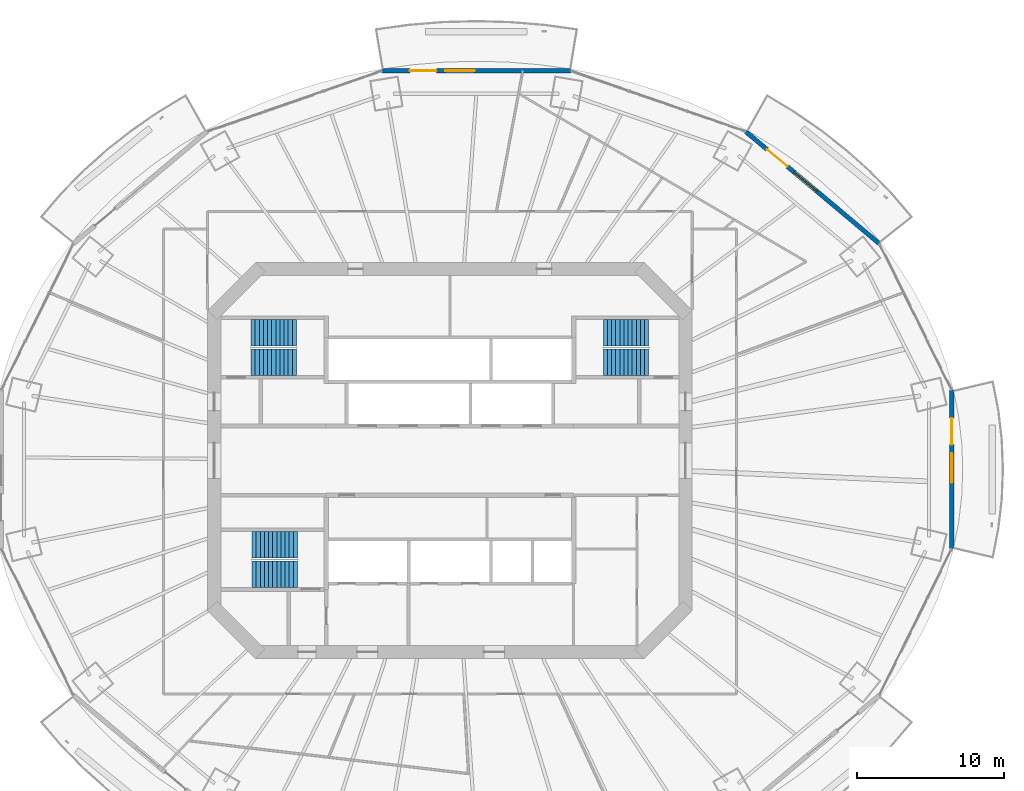
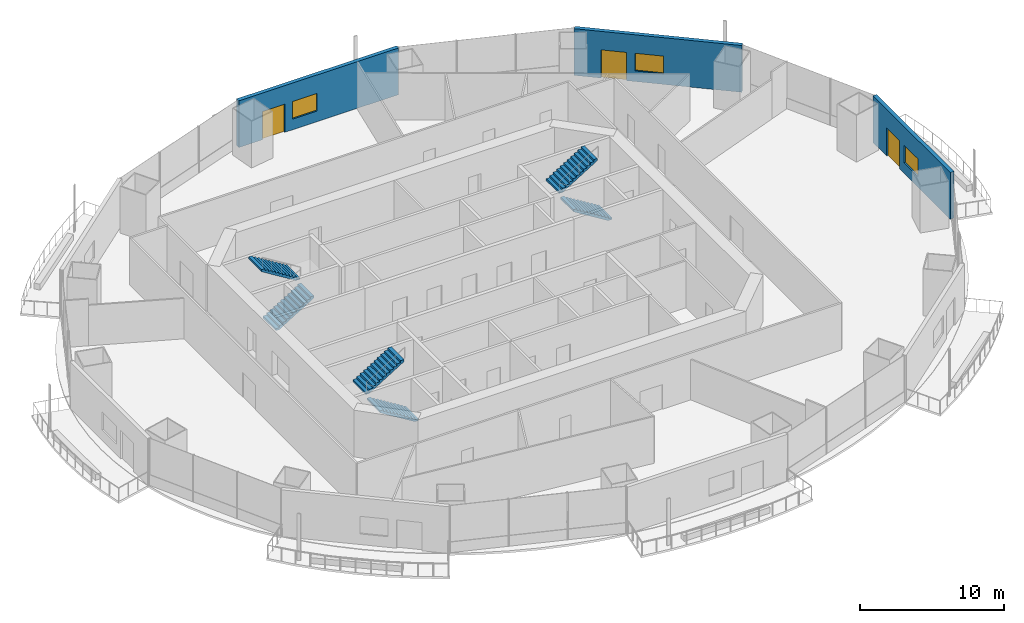
# One storey, part 15 of 21: 6 stair flights, 3 doors, 3 walls, 3 windows, 6 openings, 3 elements without a shape of their own.
"""IFC4 building model written with IfcOpenShell, lengths in metres."""

from ifc_helpers import new_model, si_unit, direction, frame, frame_2d, origin, place, context, subcontext, project, spatial, polyline, rectangle, outline, extrude, material, layer, layer_set, type_object, element, fill, aggregate, save


model = new_model("IFC4")

# Units and contexts
model_context = context("Model", 3, precision=1e-05, world=origin(), true_north=direction((0.0, 1.0)))
body_context = subcontext(model_context, "Body", "Model", "MODEL_VIEW")
ifc_project = project(units=[si_unit("LENGTHUNIT", "METRE"), si_unit("AREAUNIT", "SQUARE_METRE"), si_unit("VOLUMEUNIT", "CUBIC_METRE"), si_unit("PLANEANGLEUNIT", "RADIAN"), si_unit("MASSUNIT", "GRAM", prefix="KILO")], contexts=[model_context])

# Site, building, storey
site_placement = place(None, origin())
site = spatial("IfcSite", under=ifc_project, at=site_placement, CompositionType="ELEMENT")
building_placement = place(site_placement, origin())
building = spatial("IfcBuilding", under=site, at=building_placement, Name="Marenthal Gate Tower", CompositionType="ELEMENT")
storey_placement = place(building_placement, frame((0.0, 0.0, 161.050048828125)))
storey = spatial("IfcBuildingStorey", under=building, at=storey_placement, Name="L34", CompositionType="ELEMENT", Elevation=161.050048828125)

# Wall, openings, door, window
ifc_material_1 = material(Name="Terracotta cladding on insulated concrete-block backing", Category="masonry")
ifc_layer = layer(ifc_material_1, 0.300048828125)
ifc_layer_set = layer_set([ifc_layer], Name="Terracotta facade wall 300")
wall_type = type_object("IfcWallType", Name="Terracotta facade wall 300", PredefinedType="SOLIDWALL", material=ifc_layer_set)
wall_1_placement = place(storey_placement, frame((29.154541015625, 14.729248046875, 0.0), z_axis=(0.0, 0.0, 1.0), x_axis=(-0.766205617694, 0.642595480387, 0.0)))
wall_1 = element("IfcWall", 1, at=wall_1_placement, inside=storey, type_object=wall_type, Name="Terracotta facade wall L34 bay 2", PredefinedType="SOLIDWALL", context=body_context, shape_type="SweptSolid", body=[
    extrude(rectangle(XDim=11.8466796875, YDim=0.300048828125, at=frame_2d((5.92333984375, 0.0))), origin(), (0.0, 0.0, 1.0), 3.969970703125),
])
opening_1_placement = place(wall_1_placement, frame((8.146484375, 0.0, 0.0)))
opening_1 = element("IfcOpeningElement", 2, at=opening_1_placement, cuts=wall_1, Name="Opening BD-L34-02", PredefinedType="OPENING", context=body_context, shape_type="SweptSolid", body=[
    extrude(rectangle(XDim=1.800048828125, YDim=2.39990234375, at=frame_2d((0.89990234375, 1.199951171875))), frame((0.0, 0.16015625, 0.0), z_axis=(0.0, -1.0, 0.0), x_axis=(1.0, 0.0, 0.0)), (0.0, 0.0, 1.0), 0.320068359375),
])
opening_2_placement = place(wall_1_placement, frame((5.54638671875, 0.0, 0.89990234375)))
opening_2 = element("IfcOpeningElement", 3, at=opening_2_placement, cuts=wall_1, Name="Opening WN2-L34-02", PredefinedType="OPENING", context=body_context, shape_type="SweptSolid", body=[
    extrude(rectangle(XDim=2.0, YDim=1.5, at=frame_2d((1.0, 0.75))), frame((0.0, 0.16015625, 0.0), z_axis=(0.0, -1.0, 0.0), x_axis=(1.0, 0.0, 0.0)), (0.0, 0.0, 1.0), 0.320068359375),
])
ifc_material_2 = material(Name="Aluminium and glass", Category="aluminium")
door_type = type_object("IfcDoorType", Name="Balcony door 1800x2400", OperationType="DOUBLE_DOOR_SINGLE_SWING", PredefinedType="DOOR", material=ifc_material_2)
door_1_placement = place(opening_1_placement, origin())
door_1 = element("IfcDoor", 4, at=door_1_placement, inside=storey, type_object=door_type, Name="Balcony door L34 bay 2", OperationType="SINGLE_SWING_LEFT", OverallHeight=2.39990234375, OverallWidth=1.800048828125, PredefinedType="DOOR", context=body_context, shape_type="SweptSolid", body=[
    extrude(rectangle(XDim=1.800048828125, YDim=2.39990234375, at=frame_2d((0.89990234375, 1.199951171875))), frame((0.0, 0.02490234375, 0.0), z_axis=(0.0, -1.0, 0.0), x_axis=(1.0, 0.0, 0.0)), (0.0, 0.0, 1.0), 0.050048828125),
])
fill(opening_1, door_1)
ifc_material_3 = material(Name="Aluminium and glass", Category="aluminium")
window_type = type_object("IfcWindowType", Name="Window 2000x1500", PartitioningType="DOUBLE_PANEL_VERTICAL", PredefinedType="WINDOW", material=ifc_material_3)
window_1_placement = place(opening_2_placement, origin())
window_1 = element("IfcWindow", 5, at=window_1_placement, inside=storey, type_object=window_type, Name="Window L34 bay 2", OverallHeight=1.5, OverallWidth=2.0, PartitioningType="SINGLE_PANEL", PredefinedType="WINDOW", context=body_context, shape_type="SweptSolid", body=[
    extrude(rectangle(XDim=2.0, YDim=1.5, at=frame_2d((1.0, 0.75))), frame((0.0, 0.030029296875, 0.0), z_axis=(0.0, -1.0, 0.0), x_axis=(1.0, 0.0, 0.0)), (0.0, 0.0, 1.0), 0.06005859375),
])
fill(opening_2, window_1)

wall_2_placement = place(storey_placement, frame((8.21826171875, 26.4619140625, 0.0), z_axis=(0.0, 0.0, 1.0), x_axis=(-1.0, 0.0, 0.0)))
wall_2 = element("IfcWall", 6, at=wall_2_placement, inside=storey, type_object=wall_type, Name="Terracotta facade wall L34 bay 4", PredefinedType="SOLIDWALL", context=body_context, shape_type="SweptSolid", body=[
    extrude(rectangle(XDim=12.836669921875, YDim=0.300048828125, at=frame_2d((6.41845703125, 0.0))), origin(), (0.0, 0.0, 1.0), 3.969970703125),
])
opening_3_placement = place(wall_2_placement, frame((9.13671875, 0.0, 0.0)))
opening_3 = element("IfcOpeningElement", 7, at=opening_3_placement, cuts=wall_2, Name="Opening BD-L34-04", PredefinedType="OPENING", context=body_context, shape_type="SweptSolid", body=[
    extrude(rectangle(XDim=1.800048828125, YDim=2.39990234375, at=frame_2d((0.89990234375, 1.199951171875))), frame((0.0, 0.16015625, 0.0), z_axis=(0.0, -1.0, 0.0), x_axis=(1.0, 0.0, 0.0)), (0.0, 0.0, 1.0), 0.320068359375),
])
opening_4_placement = place(wall_2_placement, frame((6.53662109375, 0.0, 0.89990234375)))
opening_4 = element("IfcOpeningElement", 8, at=opening_4_placement, cuts=wall_2, Name="Opening WN2-L34-04", PredefinedType="OPENING", context=body_context, shape_type="SweptSolid", body=[
    extrude(rectangle(XDim=2.0, YDim=1.5, at=frame_2d((1.0, 0.75))), frame((0.0, 0.16015625, 0.0), z_axis=(0.0, -1.0, 0.0), x_axis=(1.0, 0.0, 0.0)), (0.0, 0.0, 1.0), 0.320068359375),
])
door_2_placement = place(opening_3_placement, origin())
door_2 = element("IfcDoor", 9, at=door_2_placement, inside=storey, type_object=door_type, Name="Balcony door L34 bay 4", OperationType="SINGLE_SWING_LEFT", OverallHeight=2.39990234375, OverallWidth=1.800048828125, PredefinedType="DOOR", context=body_context, shape_type="SweptSolid", body=[
    extrude(rectangle(XDim=1.800048828125, YDim=2.39990234375, at=frame_2d((0.89990234375, 1.199951171875))), frame((0.0, 0.02490234375, 0.0), z_axis=(0.0, -1.0, 0.0), x_axis=(1.0, 0.0, 0.0)), (0.0, 0.0, 1.0), 0.050048828125),
])
fill(opening_3, door_2)
window_2_placement = place(opening_4_placement, origin())
window_2 = element("IfcWindow", 10, at=window_2_placement, inside=storey, type_object=window_type, Name="Window L34 bay 4", OverallHeight=1.5, OverallWidth=2.0, PartitioningType="SINGLE_PANEL", PredefinedType="WINDOW", context=body_context, shape_type="SweptSolid", body=[
    extrude(rectangle(XDim=2.0, YDim=1.5, at=frame_2d((1.0, 0.75))), frame((0.0, 0.030029296875, 0.0), z_axis=(0.0, -1.0, 0.0), x_axis=(1.0, 0.0, 0.0)), (0.0, 0.0, 1.0), 0.06005859375),
])
fill(opening_4, window_2)

wall_3_placement = place(storey_placement, frame((34.06689453125, -5.98291015625, 0.0), z_axis=(0.0, 0.0, 1.0), x_axis=(0.0, 1.0, 0.0)))
wall_3 = element("IfcWall", 11, at=wall_3_placement, inside=storey, type_object=wall_type, Name="Terracotta facade wall L34 bay 16", PredefinedType="SOLIDWALL", context=body_context, shape_type="SweptSolid", body=[
    extrude(rectangle(XDim=10.765869140625, YDim=0.300048828125, at=frame_2d((5.3828125, 0.0))), origin(), (0.0, 0.0, 1.0), 3.969970703125),
])
opening_5_placement = place(wall_3_placement, frame((7.06591796875, 0.0, 0.0)))
opening_5 = element("IfcOpeningElement", 12, at=opening_5_placement, cuts=wall_3, Name="Opening BD-L34-16", PredefinedType="OPENING", context=body_context, shape_type="SweptSolid", body=[
    extrude(rectangle(XDim=1.800048828125, YDim=2.39990234375, at=frame_2d((0.89990234375, 1.199951171875))), frame((0.0, 0.16015625, 0.0), z_axis=(0.0, -1.0, 0.0), x_axis=(1.0, 0.0, 0.0)), (0.0, 0.0, 1.0), 0.320068359375),
])
opening_6_placement = place(wall_3_placement, frame((4.4658203125, 0.0, 0.89990234375)))
opening_6 = element("IfcOpeningElement", 13, at=opening_6_placement, cuts=wall_3, Name="Opening WN2-L34-16", PredefinedType="OPENING", context=body_context, shape_type="SweptSolid", body=[
    extrude(rectangle(XDim=2.0, YDim=1.5, at=frame_2d((1.0, 0.75))), frame((0.0, 0.16015625, 0.0), z_axis=(0.0, -1.0, 0.0), x_axis=(1.0, 0.0, 0.0)), (0.0, 0.0, 1.0), 0.320068359375),
])
door_3_placement = place(opening_5_placement, origin())
door_3 = element("IfcDoor", 14, at=door_3_placement, inside=storey, type_object=door_type, Name="Balcony door L34 bay 16", OperationType="SINGLE_SWING_LEFT", OverallHeight=2.39990234375, OverallWidth=1.800048828125, PredefinedType="DOOR", context=body_context, shape_type="SweptSolid", body=[
    extrude(rectangle(XDim=1.800048828125, YDim=2.39990234375, at=frame_2d((0.89990234375, 1.199951171875))), frame((0.0, 0.02490234375, 0.0), z_axis=(0.0, -1.0, 0.0), x_axis=(1.0, 0.0, 0.0)), (0.0, 0.0, 1.0), 0.050048828125),
])
fill(opening_5, door_3)
window_3_placement = place(opening_6_placement, origin())
window_3 = element("IfcWindow", 15, at=window_3_placement, inside=storey, type_object=window_type, Name="Window L34 bay 16", OverallHeight=1.5, OverallWidth=2.0, PartitioningType="SINGLE_PANEL", PredefinedType="WINDOW", context=body_context, shape_type="SweptSolid", body=[
    extrude(rectangle(XDim=2.0, YDim=1.5, at=frame_2d((1.0, 0.75))), frame((0.0, 0.030029296875, 0.0), z_axis=(0.0, -1.0, 0.0), x_axis=(1.0, 0.0, 0.0)), (0.0, 0.0, 1.0), 0.06005859375),
])
fill(opening_6, window_3)

# Stair, stair flights
ifc_material_4 = material(Name="Concrete 40 MPa", Category="concrete")
stair_type = type_object("IfcStairType", Name="Exit stair 1800", PredefinedType="HALF_TURN_STAIR", material=ifc_material_4)
stair_1_placement = place(storey_placement, origin())
stair_1 = element("IfcStair", 16, at=stair_1_placement, inside=storey, type_object=stair_type, Name="Stair ST1", PredefinedType="HALF_TURN_STAIR")
ifc_material_5 = material(Name="Concrete 40 MPa", Category="concrete")
stair_flight_type = type_object("IfcStairFlightType", Name="Stair flight 1800", PredefinedType="STRAIGHT", material=ifc_material_5)
stair_flight_1_placement = place(storey_placement, frame((-13.5, 6.675048828125, 0.0), z_axis=(0.0, 0.0, 1.0), x_axis=(1.0, 0.0, 0.0)))
stair_flight_1 = element("IfcStairFlight", 17, at=stair_flight_1_placement, type_object=stair_flight_type, Name="ST1 flight 1", NumberOfRisers=12, NumberOfTreads=11, PredefinedType="STRAIGHT", RiserHeight=0.172916667, TreadLength=0.28, context=body_context, shape_type="SweptSolid", body=[
    extrude(outline(polyline([(0.0, 0.0), (0.0, 0.1728515625), (0.280029296875, 0.1728515625), (0.280029296875, 0.345947265625), (0.56005859375, 0.345947265625), (0.56005859375, 0.518798828125), (0.840087890625, 0.518798828125), (0.840087890625, 0.691650390625), (1.1201171875, 0.691650390625), (1.1201171875, 0.864501953125), (1.39990234375, 0.864501953125), (1.39990234375, 1.03759765625), (1.679931640625, 1.03759765625), (1.679931640625, 1.21044921875), (1.9599609375, 1.21044921875), (1.9599609375, 1.38330078125), (2.239990234375, 1.38330078125), (2.239990234375, 1.55615234375), (2.52001953125, 1.55615234375), (2.52001953125, 1.729248046875), (2.800048828125, 1.729248046875), (2.800048828125, 1.902099609375), (3.080078125, 1.902099609375), (3.080078125, 2.074951171875), (3.080078125, 1.725830078125), (0.285400390625, 0.0), (0.0, 0.0)])), frame((0.0, 0.89990234375, 0.0), z_axis=(0.0, -1.0, 0.0), x_axis=(1.0, 0.0, 0.0)), (0.0, 0.0, 1.0), 1.800048828125),
])
stair_flight_2_placement = place(storey_placement, frame((-10.419921875, 8.675048828125, 2.074951171875), z_axis=(0.0, 0.0, 1.0), x_axis=(-1.0, 0.0, 0.0)))
stair_flight_2 = element("IfcStairFlight", 18, at=stair_flight_2_placement, type_object=stair_flight_type, Name="ST1 flight 2", NumberOfRisers=12, NumberOfTreads=11, PredefinedType="STRAIGHT", RiserHeight=0.172916667, TreadLength=0.28, context=body_context, shape_type="SweptSolid", body=[
    extrude(outline(polyline([(0.0, 0.0), (0.0, 0.1728515625), (0.280029296875, 0.1728515625), (0.280029296875, 0.345947265625), (0.56005859375, 0.345947265625), (0.56005859375, 0.518798828125), (0.840087890625, 0.518798828125), (0.840087890625, 0.691650390625), (1.1201171875, 0.691650390625), (1.1201171875, 0.864501953125), (1.39990234375, 0.864501953125), (1.39990234375, 1.03759765625), (1.679931640625, 1.03759765625), (1.679931640625, 1.21044921875), (1.9599609375, 1.21044921875), (1.9599609375, 1.38330078125), (2.239990234375, 1.38330078125), (2.239990234375, 1.55615234375), (2.52001953125, 1.55615234375), (2.52001953125, 1.729248046875), (2.800048828125, 1.729248046875), (2.800048828125, 1.902099609375), (3.080078125, 1.902099609375), (3.080078125, 2.074951171875), (3.080078125, 1.725830078125), (0.285400390625, 0.0), (0.0, 0.0)])), frame((0.0, 0.89990234375, 0.0), z_axis=(0.0, -1.0, 0.0), x_axis=(1.0, 0.0, 0.0)), (0.0, 0.0, 1.0), 1.800048828125),
])
aggregate(stair_1, [stair_flight_1, stair_flight_2])

stair_2_placement = place(storey_placement, origin())
stair_2 = element("IfcStair", 19, at=stair_2_placement, inside=storey, type_object=stair_type, Name="Stair ST2", PredefinedType="HALF_TURN_STAIR")
stair_flight_3_placement = place(storey_placement, frame((-10.35009765625, -7.72509765625, 0.0), z_axis=(0.0, 0.0, 1.0), x_axis=(-1.0, 0.0, 0.0)))
stair_flight_3 = element("IfcStairFlight", 20, at=stair_flight_3_placement, type_object=stair_flight_type, Name="ST2 flight 1", NumberOfRisers=12, NumberOfTreads=11, PredefinedType="STRAIGHT", RiserHeight=0.172916667, TreadLength=0.28, context=body_context, shape_type="SweptSolid", body=[
    extrude(outline(polyline([(0.0, 0.0), (0.0, 0.1728515625), (0.280029296875, 0.1728515625), (0.280029296875, 0.345947265625), (0.56005859375, 0.345947265625), (0.56005859375, 0.518798828125), (0.840087890625, 0.518798828125), (0.840087890625, 0.691650390625), (1.1201171875, 0.691650390625), (1.1201171875, 0.864501953125), (1.39990234375, 0.864501953125), (1.39990234375, 1.03759765625), (1.679931640625, 1.03759765625), (1.679931640625, 1.21044921875), (1.9599609375, 1.21044921875), (1.9599609375, 1.38330078125), (2.239990234375, 1.38330078125), (2.239990234375, 1.55615234375), (2.52001953125, 1.55615234375), (2.52001953125, 1.729248046875), (2.800048828125, 1.729248046875), (2.800048828125, 1.902099609375), (3.080078125, 1.902099609375), (3.080078125, 2.074951171875), (3.080078125, 1.725830078125), (0.285400390625, 0.0), (0.0, 0.0)])), frame((0.0, 0.89990234375, 0.0), z_axis=(0.0, -1.0, 0.0), x_axis=(1.0, 0.0, 0.0)), (0.0, 0.0, 1.0), 1.800048828125),
])
stair_flight_4_placement = place(storey_placement, frame((-13.429931640625, -5.72509765625, 2.074951171875), z_axis=(0.0, 0.0, 1.0), x_axis=(1.0, 0.0, 0.0)))
stair_flight_4 = element("IfcStairFlight", 21, at=stair_flight_4_placement, type_object=stair_flight_type, Name="ST2 flight 2", NumberOfRisers=12, NumberOfTreads=11, PredefinedType="STRAIGHT", RiserHeight=0.172916667, TreadLength=0.28, context=body_context, shape_type="SweptSolid", body=[
    extrude(outline(polyline([(0.0, 0.0), (0.0, 0.1728515625), (0.280029296875, 0.1728515625), (0.280029296875, 0.345947265625), (0.56005859375, 0.345947265625), (0.56005859375, 0.518798828125), (0.840087890625, 0.518798828125), (0.840087890625, 0.691650390625), (1.1201171875, 0.691650390625), (1.1201171875, 0.864501953125), (1.39990234375, 0.864501953125), (1.39990234375, 1.03759765625), (1.679931640625, 1.03759765625), (1.679931640625, 1.21044921875), (1.9599609375, 1.21044921875), (1.9599609375, 1.38330078125), (2.239990234375, 1.38330078125), (2.239990234375, 1.55615234375), (2.52001953125, 1.55615234375), (2.52001953125, 1.729248046875), (2.800048828125, 1.729248046875), (2.800048828125, 1.902099609375), (3.080078125, 1.902099609375), (3.080078125, 2.074951171875), (3.080078125, 1.725830078125), (0.285400390625, 0.0), (0.0, 0.0)])), frame((0.0, 0.89990234375, 0.0), z_axis=(0.0, -1.0, 0.0), x_axis=(1.0, 0.0, 0.0)), (0.0, 0.0, 1.0), 1.800048828125),
])
aggregate(stair_2, [stair_flight_3, stair_flight_4])

stair_3_placement = place(storey_placement, origin())
stair_3 = element("IfcStair", 22, at=stair_3_placement, inside=storey, type_object=stair_type, Name="Stair ST3", PredefinedType="HALF_TURN_STAIR")
stair_flight_5_placement = place(storey_placement, frame((13.5, 6.675048828125, 0.0), z_axis=(0.0, 0.0, 1.0), x_axis=(-1.0, 0.0, 0.0)))
stair_flight_5 = element("IfcStairFlight", 23, at=stair_flight_5_placement, type_object=stair_flight_type, Name="ST3 flight 1", NumberOfRisers=12, NumberOfTreads=11, PredefinedType="STRAIGHT", RiserHeight=0.172916667, TreadLength=0.28, context=body_context, shape_type="SweptSolid", body=[
    extrude(outline(polyline([(0.0, 0.0), (0.0, 0.1728515625), (0.280029296875, 0.1728515625), (0.280029296875, 0.345947265625), (0.56005859375, 0.345947265625), (0.56005859375, 0.518798828125), (0.840087890625, 0.518798828125), (0.840087890625, 0.691650390625), (1.1201171875, 0.691650390625), (1.1201171875, 0.864501953125), (1.39990234375, 0.864501953125), (1.39990234375, 1.03759765625), (1.679931640625, 1.03759765625), (1.679931640625, 1.21044921875), (1.9599609375, 1.21044921875), (1.9599609375, 1.38330078125), (2.239990234375, 1.38330078125), (2.239990234375, 1.55615234375), (2.52001953125, 1.55615234375), (2.52001953125, 1.729248046875), (2.800048828125, 1.729248046875), (2.800048828125, 1.902099609375), (3.080078125, 1.902099609375), (3.080078125, 2.074951171875), (3.080078125, 1.725830078125), (0.285400390625, 0.0), (0.0, 0.0)])), frame((0.0, 0.89990234375, 0.0), z_axis=(0.0, -1.0, 0.0), x_axis=(1.0, 0.0, 0.0)), (0.0, 0.0, 1.0), 1.800048828125),
])
stair_flight_6_placement = place(storey_placement, frame((10.419921875, 8.675048828125, 2.074951171875), z_axis=(0.0, 0.0, 1.0), x_axis=(1.0, 0.0, 0.0)))
stair_flight_6 = element("IfcStairFlight", 24, at=stair_flight_6_placement, type_object=stair_flight_type, Name="ST3 flight 2", NumberOfRisers=12, NumberOfTreads=11, PredefinedType="STRAIGHT", RiserHeight=0.172916667, TreadLength=0.28, context=body_context, shape_type="SweptSolid", body=[
    extrude(outline(polyline([(0.0, 0.0), (0.0, 0.1728515625), (0.280029296875, 0.1728515625), (0.280029296875, 0.345947265625), (0.56005859375, 0.345947265625), (0.56005859375, 0.518798828125), (0.840087890625, 0.518798828125), (0.840087890625, 0.691650390625), (1.1201171875, 0.691650390625), (1.1201171875, 0.864501953125), (1.39990234375, 0.864501953125), (1.39990234375, 1.03759765625), (1.679931640625, 1.03759765625), (1.679931640625, 1.21044921875), (1.9599609375, 1.21044921875), (1.9599609375, 1.38330078125), (2.239990234375, 1.38330078125), (2.239990234375, 1.55615234375), (2.52001953125, 1.55615234375), (2.52001953125, 1.729248046875), (2.800048828125, 1.729248046875), (2.800048828125, 1.902099609375), (3.080078125, 1.902099609375), (3.080078125, 2.074951171875), (3.080078125, 1.725830078125), (0.285400390625, 0.0), (0.0, 0.0)])), frame((0.0, 0.89990234375, 0.0), z_axis=(0.0, -1.0, 0.0), x_axis=(1.0, 0.0, 0.0)), (0.0, 0.0, 1.0), 1.800048828125),
])
aggregate(stair_3, [stair_flight_5, stair_flight_6])

save(model, "model.ifc")
